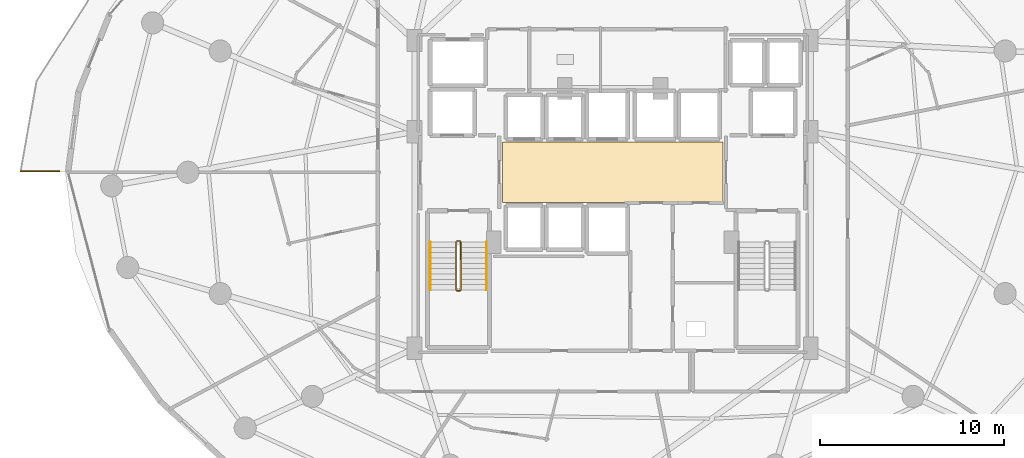
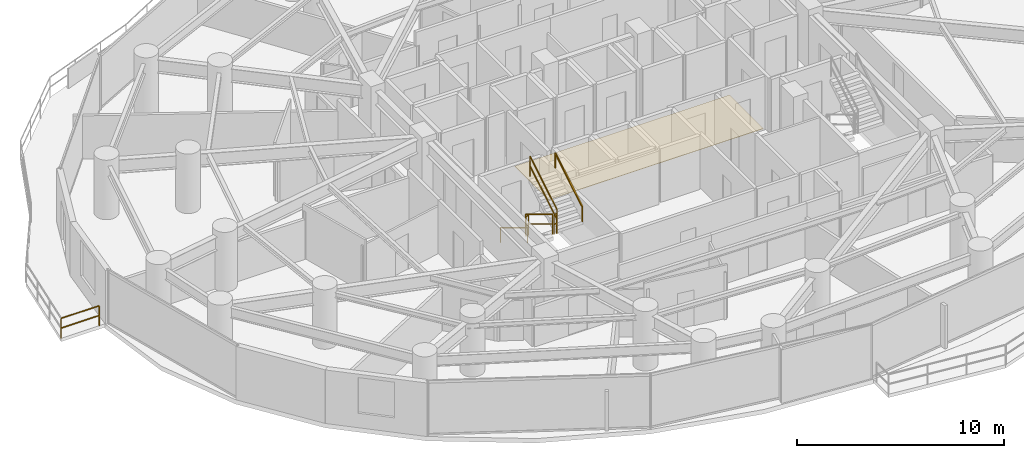
# One storey, part 31 of 34: 7 railings, 1 covering.
"""IFC4 building model written with IfcOpenShell, lengths in metres."""

import ifcopenshell
import ifcopenshell.guid

model = None  # the IFC model being written
_history = None  # IfcOwnerHistory: only IFC2X3 demands one
_inside = {}  # id of a spatial element -> (the spatial element, [elements in it])
_under = {}  # id of a project, library or spatial element -> (it, [spatial elements below it])
_declared = {}  # id of a project -> (the project, [libraries it declares])
_typed = {}  # id of a type object -> (the type object, [elements of that type])
_made_of = {}  # id of a material, layer set ... -> (it, [elements and type objects made of it])


def new_model(schema):
    """Start an empty IFC model of exactly this schema.

    Asked for "IFC4X3", IfcOpenShell would pick the latest addendum, in which some entities
    have other attributes; the version numbers below select the first issue.
    IFC2X3 requires an IfcOwnerHistory on every rooted entity: one is made here for all.
    """
    global model, _history
    if schema == "IFC4X3":
        model = ifcopenshell.file(schema_version=(4, 3, 0, 0))
    else:
        model = ifcopenshell.file(schema=schema)
    _inside.clear()
    _under.clear()
    _declared.clear()
    _typed.clear()
    _made_of.clear()
    _history = None
    if model.schema == "IFC2X3":
        org = make("IfcOrganization", Name="unknown")
        user = make(
            "IfcPersonAndOrganization",
            ThePerson=make("IfcPerson", FamilyName="unknown"),
            TheOrganization=org,
        )
        app = make(
            "IfcApplication",
            ApplicationDeveloper=org,
            Version="unknown",
            ApplicationFullName="unknown",
            ApplicationIdentifier="unknown",
        )
        _history = make(
            "IfcOwnerHistory",
            OwningUser=user,
            OwningApplication=app,
            ChangeAction="ADDED",
            CreationDate=0,
        )
    return model


def make(cls, **values):
    """One entity of the class cls with the attributes given. An attribute that is None is left unset."""
    return model.create_entity(
        cls, **{name: value for name, value in values.items() if value is not None}
    )


def rooted(cls, **values):
    """An entity with a GlobalId (a new one), such as an element, a storey or a relation."""
    return make(cls, GlobalId=ifcopenshell.guid.new(), OwnerHistory=_history, **values)


def si_unit(unit_type, name, prefix=None):
    """IfcSIUnit, for example si_unit("LENGTHUNIT", "METRE", prefix="MILLI")."""
    return make("IfcSIUnit", UnitType=unit_type, Prefix=prefix, Name=name)


def assignment(units):
    """IfcUnitAssignment: the units of a project."""
    return None if units is None else make("IfcUnitAssignment", Units=units)


def point(xyz):
    """IfcCartesianPoint."""
    return None if xyz is None else make("IfcCartesianPoint", Coordinates=xyz)


def direction(xyz):
    """IfcDirection."""
    return None if xyz is None else make("IfcDirection", DirectionRatios=xyz)


def frame(location, z_axis=None, x_axis=None):
    """IfcAxis2Placement3D, a coordinate frame: its origin and axes. An axis left out is left unset."""
    return make(
        "IfcAxis2Placement3D",
        Location=point(location),
        Axis=direction(z_axis),
        RefDirection=direction(x_axis),
    )


def frame_2d(location, x_axis=None):
    """IfcAxis2Placement2D, a coordinate frame in the plane: its origin and x axis."""
    return make(
        "IfcAxis2Placement2D", Location=point(location), RefDirection=direction(x_axis)
    )


def origin():
    """The frame at (0, 0, 0) with its axes left unset."""
    return frame((0.0, 0.0, 0.0))


def origin_2d():
    """The frame at (0, 0) in the plane with its x axis left unset."""
    return frame_2d((0.0, 0.0))


def place(relative_to, where):
    """IfcLocalPlacement: puts the frame where relative to a parent placement (None: the world)."""
    return make(
        "IfcLocalPlacement", PlacementRelTo=relative_to, RelativePlacement=where
    )


def context(
    kind, dimensions, precision=None, world=None, true_north=None, identifier=None
):
    """IfcGeometricRepresentationContext, for example the 3D "Model" context."""
    return make(
        "IfcGeometricRepresentationContext",
        ContextIdentifier=identifier,
        ContextType=kind,
        CoordinateSpaceDimension=dimensions,
        Precision=precision,
        WorldCoordinateSystem=world,
        TrueNorth=true_north,
    )


def subcontext(parent, identifier, kind, view, scale=None):
    """IfcGeometricRepresentationSubContext, for example "Body" below "Model"."""
    return make(
        "IfcGeometricRepresentationSubContext",
        ContextIdentifier=identifier,
        ContextType=kind,
        ParentContext=parent,
        TargetScale=scale,
        TargetView=view,
    )


def project(units=None, contexts=None):
    """IfcProject with its units and contexts."""
    return rooted(
        "IfcProject",
        Name="project",
        RepresentationContexts=contexts,
        UnitsInContext=assignment(units),
    )


def spatial(cls, under=None, at=None, **own):
    """A site, building, storey or space (cls), placed at a placement, below another one or the project."""
    s = rooted(cls, ObjectPlacement=at, **own)
    if under is not None:
        _under.setdefault(under.id(), (under, []))[1].append(s)
    return s


def polyline(points):
    """IfcPolyline through the points."""
    return make("IfcPolyline", Points=[point(p) for p in points])


def profile(cls, at=None, kind="AREA", **sizes):
    """A parametric profile (cls). Its sizes go by their IFC names, for example OverallWidth=200.0."""
    return make(cls, ProfileType=kind, Position=at, **sizes)


def rectangle(**sizes):
    """IfcRectangleProfileDef."""
    return profile("IfcRectangleProfileDef", **sizes)


def outline(outer, holes=None, kind="AREA"):
    """IfcArbitraryClosedProfileDef: a profile drawn as a closed curve; with holes, ...WithVoids."""
    if holes is None:
        return make("IfcArbitraryClosedProfileDef", ProfileType=kind, OuterCurve=outer)
    return make(
        "IfcArbitraryProfileDefWithVoids",
        ProfileType=kind,
        OuterCurve=outer,
        InnerCurves=holes,
    )


def extrude(swept, where, along, depth):
    """IfcExtrudedAreaSolid: the profile swept, set in the frame where, extruded along a direction by depth."""
    return make(
        "IfcExtrudedAreaSolid",
        SweptArea=swept,
        Position=where,
        ExtrudedDirection=direction(along),
        Depth=depth,
    )


def shape(context_of_items, identifier, shape_type, items):
    """IfcShapeRepresentation: the items that make up one representation, for example the "Body"."""
    return make(
        "IfcShapeRepresentation",
        ContextOfItems=context_of_items,
        RepresentationIdentifier=identifier,
        RepresentationType=shape_type,
        Items=items,
    )


def material(Name=None, Category=None):
    """IfcMaterial."""
    return make("IfcMaterial", Name=Name, Category=Category)


def layer(
    of_material, thickness, ventilated=None, Name=None, Category=None, Priority=None
):
    """IfcMaterialLayer: one layer of a wall or slab, of a material (None: an air gap)."""
    return make(
        "IfcMaterialLayer",
        Material=of_material,
        LayerThickness=thickness,
        IsVentilated=ventilated,
        Name=Name,
        Category=Category,
        Priority=Priority,
    )


def layer_set(layers, Name=None):
    """IfcMaterialLayerSet."""
    return make("IfcMaterialLayerSet", MaterialLayers=layers, LayerSetName=Name)


def made_of(thing, what):
    """Note that an element or type object is made of a material, layer set ...; save() writes the relation."""
    if what is not None:
        _made_of.setdefault(what.id(), (what, []))[1].append(thing)
    return thing


def type_object(cls, material=None, **own):
    """A type object (cls), such as IfcWallType, which elements share."""
    return made_of(rooted(cls, **own), material)


def element(
    cls,
    number,
    at=None,
    inside=None,
    cuts=None,
    type_object=None,
    material=None,
    context=None,
    identifier="Body",
    shape_type=None,
    held_by="IfcProductDefinitionShape",
    body=None,
    shapes=None,
    **own,
):
    """One element of the class cls, such as IfcWall. Its Tag is "e" and its number.

    at: its placement. inside: the storey or other place that contains it. cuts: it is an
    opening in that element (IfcRelVoidsElement). A single representation is given by context,
    identifier, shape_type and body (its items); several are given by shapes. held_by: the class
    of the entity that holds the representations. save() writes the other relations.
    """
    e = rooted(cls, Tag="e%d" % number, ObjectPlacement=at, **own)
    if body is not None:
        shapes = [shape(context, identifier, shape_type, body)]
    if shapes is not None:
        e.Representation = make(held_by, Representations=shapes)
    if inside is not None:
        _inside.setdefault(inside.id(), (inside, []))[1].append(e)
    if cuts is not None:
        rooted(
            "IfcRelVoidsElement", RelatingBuildingElement=cuts, RelatedOpeningElement=e
        )
    if type_object is not None:
        _typed.setdefault(type_object.id(), (type_object, []))[1].append(e)
    return made_of(e, material)


def aggregate(whole, parts):
    """IfcRelAggregates: a whole, such as a stair, and the parts it consists of."""
    return rooted("IfcRelAggregates", RelatingObject=whole, RelatedObjects=parts)


def save(model, path):
    """Write the relations noted so far, then the file.

    IfcRelAggregates (storeys below a building ...), IfcRelContainedInSpatialStructure (elements
    in a storey), IfcRelDefinesByType, IfcRelAssociatesMaterial and IfcRelDeclares: one each for
    every whole, place, type object, material and project.
    """
    for whole, parts in _under.values():
        aggregate(whole, parts)
    for where, things in _inside.values():
        rooted(
            "IfcRelContainedInSpatialStructure",
            RelatedElements=things,
            RelatingStructure=where,
        )
    for kind, things in _typed.values():
        rooted("IfcRelDefinesByType", RelatedObjects=things, RelatingType=kind)
    for what, things in _made_of.values():
        rooted("IfcRelAssociatesMaterial", RelatedObjects=things, RelatingMaterial=what)
    for by, libraries in _declared.values():
        rooted("IfcRelDeclares", RelatingContext=by, RelatedDefinitions=libraries)
    model.write(path)


model = new_model("IFC4")

# Units and contexts
model_context = context("Model", 3, precision=1e-05, world=origin(), true_north=direction((0.0, 1.0)))
body_context = subcontext(model_context, "Body", "Model", "MODEL_VIEW")
ifc_project = project(units=[si_unit("LENGTHUNIT", "METRE"), si_unit("AREAUNIT", "SQUARE_METRE"), si_unit("VOLUMEUNIT", "CUBIC_METRE"), si_unit("PLANEANGLEUNIT", "RADIAN"), si_unit("MASSUNIT", "GRAM", prefix="KILO")], contexts=[model_context])

# Site, building, storey
site_placement = place(None, origin())
site = spatial("IfcSite", under=ifc_project, at=site_placement, CompositionType="ELEMENT")
building_placement = place(site_placement, origin())
building = spatial("IfcBuilding", under=site, at=building_placement, Name="Vorneva Point Tower", CompositionType="ELEMENT")
storey_placement = place(building_placement, frame((0.0, 0.0, 66.0)))
storey = spatial("IfcBuildingStorey", under=building, at=storey_placement, Name="L17", CompositionType="ELEMENT", Elevation=66.0)

# Covering
ifc_material_1 = material(Name="Acoustic wool hospitality carpet", Category="textile")
ifc_layer = layer(ifc_material_1, 0.01806640625)
ifc_layer_set = layer_set([ifc_layer], Name="Acoustic wool hospitality carpet")
covering_type = type_object("IfcCoveringType", Name="COV-FLR-CRP", PredefinedType="FLOORING", material=ifc_layer_set)
covering_placement = place(storey_placement, frame((0.0, 0.0, -0.0048828125)))
element("IfcCovering", 1, at=covering_placement, inside=storey, type_object=covering_type, Name="L17 Lift Lobby Floor Finish", PredefinedType="FLOORING", context=body_context, shape_type="SweptSolid", body=[
    extrude(outline(polyline([(32.02001953125, 24.3701171875), (43.97998046875, 24.3701171875), (43.97998046875, 27.6298828125), (32.02001953125, 27.6298828125), (32.02001953125, 24.3701171875)])), origin(), (0.0, 0.0, 1.0), 0.02294921875),
])

# Railings
ifc_material_2 = material(Name="Pale anodised aluminium", Category="aluminium")
railing_type_1 = type_object("IfcRailingType", Name="RL-BAL-1200", PredefinedType="BALUSTRADE", material=ifc_material_2)
railing_1_placement = place(storey_placement, frame((5.86376953125, 26.050048828125, 0.0)))
element("IfcRailing", 2, at=railing_1_placement, inside=storey, type_object=railing_type_1, Name="L17 Wave Balcony Balustrade NW.1", PredefinedType="BALUSTRADE", context=body_context, shape_type="SweptSolid", body=[
    extrude(rectangle(XDim=0.048095703125, YDim=0.048095703125, at=origin_2d()), frame((0.0, 0.0, 1.17578125), z_axis=(1.0, 0.0, 0.0), x_axis=(0.0, 1.0, 0.0)), (0.0, 0.0, 1.0), 2.1201171875),
    extrude(rectangle(XDim=0.048095703125, YDim=0.048095703125, at=origin_2d()), frame((0.0, 0.0, 0.60009765625), z_axis=(1.0, 0.0, 0.0), x_axis=(0.0, 1.0, 0.0)), (0.0, 0.0, 1.0), 2.1201171875),
    extrude(rectangle(XDim=0.0419921875, YDim=0.0419921875, at=origin_2d()), origin(), (0.0, 0.0, 1.0), 1.15185546875),
    extrude(rectangle(XDim=0.0419921875, YDim=0.0419921875, at=origin_2d()), frame((2.1201171875, 0.0, 0.0)), (0.0, 0.0, 1.0), 1.15185546875),
])
ifc_material_3 = material(Name="Brushed stainless steel S304", Category="steel")
railing_type_2 = type_object("IfcRailingType", Name="RL-HND-920", PredefinedType="HANDRAIL", material=ifc_material_3)
railing_2_placement = place(storey_placement, frame((28.10009765625, 22.219970703125, 0.175048828125)))
element("IfcRailing", 3, at=railing_2_placement, inside=storey, type_object=railing_type_2, Name="L17 ST1 stair handrail 1", PredefinedType="HANDRAIL", context=body_context, shape_type="SweptSolid", body=[
    extrude(rectangle(XDim=0.048095703125, YDim=0.048095703125, at=origin_2d()), frame((0.0, 0.0, 0.8759765625), z_axis=(0.0, -0.85618277418, 0.516673066065), x_axis=(1.0, 0.0, 0.0)), (0.0, 0.0, 1.0), 3.04833984375),
    extrude(rectangle(XDim=0.0419921875, YDim=0.0419921875, at=origin_2d()), origin(), (0.0, 0.0, 1.0), 0.851806640625),
    extrude(rectangle(XDim=0.0419921875, YDim=0.0419921875, at=origin_2d()), frame((0.0, -2.60986328125, 1.574951171875)), (0.0, 0.0, 1.0), 0.851806640625),
])
railing_3_placement = place(storey_placement, frame((31.14990234375, 19.610107421875, 1.925048828125)))
element("IfcRailing", 4, at=railing_3_placement, inside=storey, type_object=railing_type_2, Name="L17 ST1 stair handrail 2", PredefinedType="HANDRAIL", context=body_context, shape_type="SweptSolid", body=[
    extrude(rectangle(XDim=0.048095703125, YDim=0.048095703125, at=origin_2d()), frame((0.0, 0.0, 0.8759765625), z_axis=(0.0, 0.85618277418, 0.516673066065), x_axis=(-1.0, 0.0, 0.0)), (0.0, 0.0, 1.0), 3.04833984375),
    extrude(rectangle(XDim=0.0419921875, YDim=0.0419921875, at=origin_2d()), origin(), (0.0, 0.0, 1.0), 0.851806640625),
    extrude(rectangle(XDim=0.0419921875, YDim=0.0419921875, at=origin_2d()), frame((0.0, 2.60986328125, 1.574951171875)), (0.0, 0.0, 1.0), 0.851806640625),
])
railing_type_3 = type_object("IfcRailingType", Name="RL-STG-1100", PredefinedType="GUARDRAIL", material=ifc_material_3)
railing_4_placement = place(storey_placement, frame((29.5, 22.219970703125, 0.175048828125)))
element("IfcRailing", 5, at=railing_4_placement, inside=storey, type_object=railing_type_3, Name="L17 ST1 stair guard 1", PredefinedType="GUARDRAIL", context=body_context, shape_type="SweptSolid", body=[
    extrude(rectangle(XDim=0.048095703125, YDim=0.048095703125, at=origin_2d()), frame((0.0, 0.0, 1.17578125), z_axis=(0.0, -0.85618277418, 0.516673066065), x_axis=(1.0, 0.0, 0.0)), (0.0, 0.0, 1.0), 3.04833984375),
    extrude(rectangle(XDim=0.048095703125, YDim=0.048095703125, at=origin_2d()), frame((0.0, 0.0, 0.60009765625), z_axis=(0.0, -0.85618277418, 0.516673066065), x_axis=(1.0, 0.0, 0.0)), (0.0, 0.0, 1.0), 3.04833984375),
    extrude(rectangle(XDim=0.0419921875, YDim=0.0419921875, at=origin_2d()), origin(), (0.0, 0.0, 1.0), 1.15185546875),
    extrude(rectangle(XDim=0.0419921875, YDim=0.0419921875, at=origin_2d()), frame((0.0, -2.60986328125, 1.574951171875)), (0.0, 0.0, 1.0), 1.15185546875),
])
railing_5_placement = place(storey_placement, frame((29.550048828125, 19.56005859375, 1.75)))
element("IfcRailing", 6, at=railing_5_placement, inside=storey, type_object=railing_type_3, Name="L17 ST1 stair guard 2", PredefinedType="GUARDRAIL", context=body_context, shape_type="SweptSolid", body=[
    extrude(rectangle(XDim=0.048095703125, YDim=0.048095703125, at=origin_2d()), frame((0.0, 0.0, 1.17578125), z_axis=(1.0, 0.0, 0.0), x_axis=(0.0, 1.0, 0.0)), (0.0, 0.0, 1.0), 0.14990234375),
    extrude(rectangle(XDim=0.048095703125, YDim=0.048095703125, at=origin_2d()), frame((0.0, 0.0, 0.60009765625), z_axis=(1.0, 0.0, 0.0), x_axis=(0.0, 1.0, 0.0)), (0.0, 0.0, 1.0), 0.14990234375),
    extrude(rectangle(XDim=0.0419921875, YDim=0.0419921875, at=origin_2d()), origin(), (0.0, 0.0, 1.0), 1.15185546875),
    extrude(rectangle(XDim=0.0419921875, YDim=0.0419921875, at=origin_2d()), frame((0.14990234375, 0.0, 0.0)), (0.0, 0.0, 1.0), 1.15185546875),
])
railing_6_placement = place(storey_placement, frame((29.75, 19.610107421875, 1.925048828125)))
element("IfcRailing", 7, at=railing_6_placement, inside=storey, type_object=railing_type_3, Name="L17 ST1 stair guard 3", PredefinedType="GUARDRAIL", context=body_context, shape_type="SweptSolid", body=[
    extrude(rectangle(XDim=0.048095703125, YDim=0.048095703125, at=origin_2d()), frame((0.0, 0.0, 1.17578125), z_axis=(0.0, 0.85618277418, 0.516673066065), x_axis=(-1.0, 0.0, 0.0)), (0.0, 0.0, 1.0), 3.04833984375),
    extrude(rectangle(XDim=0.048095703125, YDim=0.048095703125, at=origin_2d()), frame((0.0, 0.0, 0.60009765625), z_axis=(0.0, 0.85618277418, 0.516673066065), x_axis=(-1.0, 0.0, 0.0)), (0.0, 0.0, 1.0), 3.04833984375),
    extrude(rectangle(XDim=0.0419921875, YDim=0.0419921875, at=origin_2d()), origin(), (0.0, 0.0, 1.0), 1.15185546875),
    extrude(rectangle(XDim=0.0419921875, YDim=0.0419921875, at=origin_2d()), frame((0.0, 2.60986328125, 1.574951171875)), (0.0, 0.0, 1.0), 1.15185546875),
])
railing_7_placement = place(storey_placement, frame((29.550048828125, 22.27001953125, 0.0)))
element("IfcRailing", 8, at=railing_7_placement, inside=storey, type_object=railing_type_3, Name="L17 ST1 stair guard 4", PredefinedType="GUARDRAIL", context=body_context, shape_type="SweptSolid", body=[
    extrude(rectangle(XDim=0.048095703125, YDim=0.048095703125, at=origin_2d()), frame((0.0, 0.0, 1.17578125), z_axis=(1.0, 0.0, 0.0), x_axis=(0.0, 1.0, 0.0)), (0.0, 0.0, 1.0), 0.14990234375),
    extrude(rectangle(XDim=0.048095703125, YDim=0.048095703125, at=origin_2d()), frame((0.0, 0.0, 0.60009765625), z_axis=(1.0, 0.0, 0.0), x_axis=(0.0, 1.0, 0.0)), (0.0, 0.0, 1.0), 0.14990234375),
    extrude(rectangle(XDim=0.0419921875, YDim=0.0419921875, at=origin_2d()), origin(), (0.0, 0.0, 1.0), 1.15185546875),
    extrude(rectangle(XDim=0.0419921875, YDim=0.0419921875, at=origin_2d()), frame((0.14990234375, 0.0, 0.0)), (0.0, 0.0, 1.0), 1.15185546875),
])

save(model, "model.ifc")
